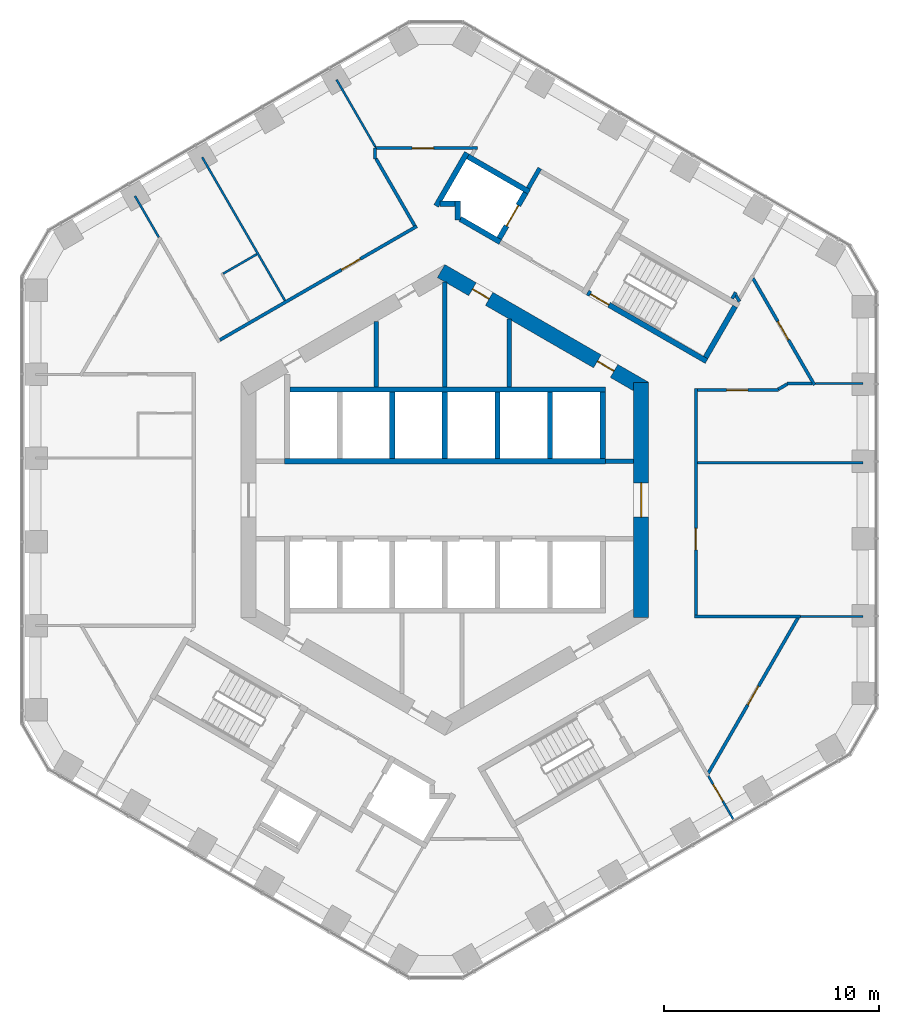
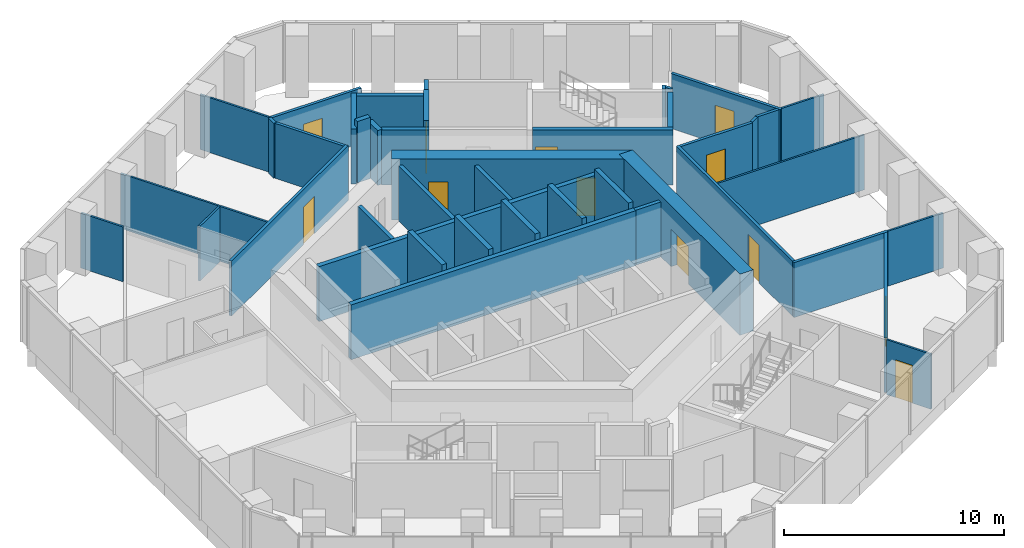
# One storey, part 15 of 19: 43 walls, 12 doors, 12 openings.
"""IFC4 building model written with IfcOpenShell, lengths in metres."""

from ifc_helpers import new_model, si_unit, direction, frame, frame_2d, origin, place, context, subcontext, project, spatial, rectangle, extrude, material, layer, layer_set, type_object, element, fill, save


model = new_model("IFC4")

# Units and contexts
model_context = context("Model", 3, precision=1e-05, world=origin(), true_north=direction((0.0, 1.0)))
body_context = subcontext(model_context, "Body", "Model", "MODEL_VIEW")
ifc_project = project(units=[si_unit("LENGTHUNIT", "METRE"), si_unit("AREAUNIT", "SQUARE_METRE"), si_unit("VOLUMEUNIT", "CUBIC_METRE"), si_unit("PLANEANGLEUNIT", "RADIAN"), si_unit("MASSUNIT", "GRAM", prefix="KILO")], contexts=[model_context])

# Site, building, storey
site_placement = place(None, origin())
site = spatial("IfcSite", under=ifc_project, at=site_placement, CompositionType="ELEMENT")
building_placement = place(site_placement, origin())
building = spatial("IfcBuilding", under=site, at=building_placement, Name="Ayvan Gate Tower", CompositionType="ELEMENT")
storey_placement = place(building_placement, frame((0.0, 0.0, 106.89990234375)))
storey = spatial("IfcBuildingStorey", under=building, at=storey_placement, Name="L28", CompositionType="ELEMENT", Elevation=106.89990234375)

# Wall, opening, door
ifc_material_1 = material(Name="Concrete C70/85", Category="concrete")
ifc_layer_1 = layer(ifc_material_1, 0.699951171875)
ifc_layer_set_1 = layer_set([ifc_layer_1], Name="Concrete C70/85")
wall_type_1 = type_object("IfcWallType", Name="Core wall 700 C70/85", PredefinedType="SHEAR", material=ifc_layer_set_1)
wall_1_placement = place(storey_placement, frame((9.14990234375, -5.48486328125, 0.0), z_axis=(0.0, 0.0, 1.0), x_axis=(0.0, 1.0, 0.0)))
wall_1 = element("IfcWall", 1, at=wall_1_placement, inside=storey, type_object=wall_type_1, Name="CORE-L28-0", PredefinedType="SHEAR", context=body_context, shape_type="SweptSolid", body=[
    extrude(rectangle(XDim=10.9697265625, YDim=0.699951171875, at=frame_2d((5.48486328125, 0.0))), origin(), (0.0, 0.0, 1.0), 3.400146484375),
])
opening_1_placement = place(wall_1_placement, frame((4.684814453125, 0.0, 0.0)))
opening_1 = element("IfcOpeningElement", 2, at=opening_1_placement, cuts=wall_1, Name="Opening L28-D45", PredefinedType="OPENING", context=body_context, shape_type="SweptSolid", body=[
    extrude(rectangle(XDim=1.60009765625, YDim=2.10009765625, at=frame_2d((0.800048828125, 1.050048828125))), frame((0.0, 0.35986328125, 0.0), z_axis=(0.0, -1.0, 0.0), x_axis=(1.0, 0.0, 0.0)), (0.0, 0.0, 1.0), 0.719970703125),
])
ifc_material_2 = material(Name="Timber door leaf", Category="wood")
door_type_1 = type_object("IfcDoorType", Name="DT-1600", OperationType="NOTDEFINED", PredefinedType="DOOR", material=ifc_material_2)
door_1_placement = place(opening_1_placement, origin())
door_1 = element("IfcDoor", 3, at=door_1_placement, inside=storey, type_object=door_type_1, Name="CD-L28-45", OperationType="SINGLE_SWING_LEFT", OverallHeight=2.10009765625, OverallWidth=1.60009765625, PredefinedType="DOOR", context=body_context, shape_type="SweptSolid", body=[
    extrude(rectangle(XDim=1.60009765625, YDim=2.10009765625, at=frame_2d((0.800048828125, 1.050048828125))), frame((0.0, 0.02490234375, 0.0), z_axis=(0.0, -1.0, 0.0), x_axis=(1.0, 0.0, 0.0)), (0.0, 0.0, 1.0), 0.050048828125),
])
fill(opening_1, door_1)

# Wall, openings, doors
wall_2_placement = place(storey_placement, frame((9.324951171875, 5.181640625, 0.0), z_axis=(0.0, 0.0, 1.0), x_axis=(-0.866023993627, 0.500002442456, 0.0)))
wall_2 = element("IfcWall", 4, at=wall_2_placement, inside=storey, type_object=wall_type_1, Name="CORE-L28-1", PredefinedType="SHEAR", context=body_context, shape_type="SweptSolid", body=[
    extrude(rectangle(XDim=10.9697265625, YDim=0.699951171875, at=frame_2d((5.48486328125, 0.0))), origin(), (0.0, 0.0, 1.0), 3.400146484375),
])
opening_2_placement = place(wall_2_placement, frame((8.384033203125, 0.0, 0.0)))
opening_2 = element("IfcOpeningElement", 5, at=opening_2_placement, cuts=wall_2, Name="Opening L28-D40", PredefinedType="OPENING", context=body_context, shape_type="SweptSolid", body=[
    extrude(rectangle(XDim=0.89990234375, YDim=2.10009765625, at=frame_2d((0.449951171875, 1.050048828125))), frame((0.0, 0.35986328125, 0.0), z_axis=(0.0, -1.0, 0.0), x_axis=(1.0, 0.0, 0.0)), (0.0, 0.0, 1.0), 0.719970703125),
])
opening_3_placement = place(wall_2_placement, frame((1.66259765625, 0.0, 0.0)))
opening_3 = element("IfcOpeningElement", 6, at=opening_3_placement, cuts=wall_2, Name="Opening L28-D41", PredefinedType="OPENING", context=body_context, shape_type="SweptSolid", body=[
    extrude(rectangle(XDim=0.89990234375, YDim=2.10009765625, at=frame_2d((0.449951171875, 1.050048828125))), frame((0.0, 0.35986328125, 0.0), z_axis=(0.0, -1.0, 0.0), x_axis=(1.0, 0.0, 0.0)), (0.0, 0.0, 1.0), 0.719970703125),
])
door_type_2 = type_object("IfcDoorType", Name="DT-900", OperationType="NOTDEFINED", PredefinedType="DOOR", material=ifc_material_2)
door_2_placement = place(opening_2_placement, origin())
door_2 = element("IfcDoor", 7, at=door_2_placement, inside=storey, type_object=door_type_2, Name="CD-L28-40", OperationType="SINGLE_SWING_RIGHT", OverallHeight=2.10009765625, OverallWidth=0.89990234375, PredefinedType="DOOR", context=body_context, shape_type="SweptSolid", body=[
    extrude(rectangle(XDim=0.89990234375, YDim=2.10009765625, at=frame_2d((0.449951171875, 1.050048828125))), frame((0.0, 0.02490234375, 0.0), z_axis=(0.0, -1.0, 0.0), x_axis=(1.0, 0.0, 0.0)), (0.0, 0.0, 1.0), 0.050048828125),
])
fill(opening_2, door_2)
door_3_placement = place(opening_3_placement, origin())
door_3 = element("IfcDoor", 8, at=door_3_placement, inside=storey, type_object=door_type_2, Name="CD-L28-41", OperationType="SINGLE_SWING_LEFT", OverallHeight=2.10009765625, OverallWidth=0.89990234375, PredefinedType="DOOR", context=body_context, shape_type="SweptSolid", body=[
    extrude(rectangle(XDim=0.89990234375, YDim=2.10009765625, at=frame_2d((0.449951171875, 1.050048828125))), frame((0.0, 0.02490234375, 0.0), z_axis=(0.0, -1.0, 0.0), x_axis=(1.0, 0.0, 0.0)), (0.0, 0.0, 1.0), 0.050048828125),
])
fill(opening_3, door_3)

# Wall, opening, door
ifc_material_3 = material(Name="Plasterboard on steel stud", Category="steel")
ifc_layer_2 = layer(ifc_material_3, 0.14990234375)
ifc_layer_set_2 = layer_set([ifc_layer_2], Name="Plasterboard on steel stud")
wall_type_2 = type_object("IfcWallType", Name="WT-CORR-150", PredefinedType="PARTITIONING", material=ifc_layer_set_2)
wall_3_placement = place(storey_placement, frame((-10.4814453125, 7.45849609375, 0.0), z_axis=(0.0, 0.0, 1.0), x_axis=(0.866018292242, 0.500012317351, 0.0)))
wall_3 = element("IfcWall", 9, at=wall_3_placement, inside=storey, type_object=wall_type_2, Name="IW-L28-016", PredefinedType="PARTITIONING", context=body_context, shape_type="SweptSolid", body=[
    extrude(rectangle(XDim=10.595947265625, YDim=0.14990234375, at=frame_2d((5.2978515625, 0.0))), origin(), (0.0, 0.0, 1.0), 3.050048828125),
])
opening_4_placement = place(wall_3_placement, frame((6.545654296875, 0.0, 0.0)))
opening_4 = element("IfcOpeningElement", 10, at=opening_4_placement, cuts=wall_3, Name="Opening L28-D35", PredefinedType="OPENING", context=body_context, shape_type="SweptSolid", body=[
    extrude(rectangle(XDim=1.0, YDim=2.10009765625, at=frame_2d((0.5, 1.050048828125))), frame((0.0, 0.0849609375, 0.0), z_axis=(0.0, -1.0, 0.0), x_axis=(1.0, 0.0, 0.0)), (0.0, 0.0, 1.0), 0.169921875),
])
door_type_3 = type_object("IfcDoorType", Name="DT-1000", OperationType="NOTDEFINED", PredefinedType="DOOR", material=ifc_material_2)
door_4_placement = place(opening_4_placement, origin())
door_4 = element("IfcDoor", 11, at=door_4_placement, inside=storey, type_object=door_type_3, Name="ID-L28-035", OperationType="SINGLE_SWING_LEFT", OverallHeight=2.10009765625, OverallWidth=1.0, PredefinedType="DOOR", context=body_context, shape_type="SweptSolid", body=[
    extrude(rectangle(XDim=1.0, YDim=2.10009765625, at=frame_2d((0.5, 1.050048828125))), frame((0.0, 0.02490234375, 0.0), z_axis=(0.0, -1.0, 0.0), x_axis=(1.0, 0.0, 0.0)), (0.0, 0.0, 1.0), 0.050048828125),
])
fill(opening_4, door_4)

# Wall
wall_4_placement = place(storey_placement, frame((-3.25, 15.900146484375, 0.0), z_axis=(0.0, 0.0, 1.0), x_axis=(0.0, 1.0, 0.0)))
element("IfcWall", 12, at=wall_4_placement, inside=storey, type_object=wall_type_2, Name="IW-L28-044", PredefinedType="PARTITIONING", context=body_context, shape_type="SweptSolid", body=[
    extrude(rectangle(XDim=0.496826171875, YDim=0.14990234375, at=frame_2d((0.24853515625, 0.0))), origin(), (0.0, 0.0, 1.0), 3.050048828125),
])

# Wall, opening, door
wall_5_placement = place(storey_placement, frame((-3.255126953125, 16.39697265625, 0.0), z_axis=(0.0, 0.0, 1.0), x_axis=(1.0, 0.0, 0.0)))
wall_5 = element("IfcWall", 13, at=wall_5_placement, inside=storey, type_object=wall_type_2, Name="IW-L28-045", PredefinedType="PARTITIONING", context=body_context, shape_type="SweptSolid", body=[
    extrude(rectangle(XDim=4.771728515625, YDim=0.14990234375, at=frame_2d((2.3857421875, 0.0))), origin(), (0.0, 0.0, 1.0), 3.050048828125),
])
opening_5_placement = place(wall_5_placement, frame((1.72900390625, 0.0, 0.0)))
opening_5 = element("IfcOpeningElement", 14, at=opening_5_placement, cuts=wall_5, Name="Opening L28-D21", PredefinedType="OPENING", context=body_context, shape_type="SweptSolid", body=[
    extrude(rectangle(XDim=1.0, YDim=2.10009765625, at=frame_2d((0.5, 1.050048828125))), frame((0.0, 0.0849609375, 0.0), z_axis=(0.0, -1.0, 0.0), x_axis=(1.0, 0.0, 0.0)), (0.0, 0.0, 1.0), 0.169921875),
])
door_5_placement = place(opening_5_placement, origin())
door_5 = element("IfcDoor", 15, at=door_5_placement, inside=storey, type_object=door_type_3, Name="ID-L28-021", OperationType="SINGLE_SWING_LEFT", OverallHeight=2.10009765625, OverallWidth=1.0, PredefinedType="DOOR", context=body_context, shape_type="SweptSolid", body=[
    extrude(rectangle(XDim=1.0, YDim=2.10009765625, at=frame_2d((0.5, 1.050048828125))), frame((0.0, 0.02490234375, 0.0), z_axis=(0.0, -1.0, 0.0), x_axis=(1.0, 0.0, 0.0)), (0.0, 0.0, 1.0), 0.050048828125),
])
fill(opening_5, door_5)

# Walls
wall_6_placement = place(storey_placement, frame((-1.40771484375, 12.783935546875, 0.0), z_axis=(0.0, 0.0, 1.0), x_axis=(-0.499950785441, 0.866053815959, 0.0)))
element("IfcWall", 16, at=wall_6_placement, inside=storey, type_object=wall_type_2, Name="IW-L28-055", PredefinedType="PARTITIONING", context=body_context, shape_type="SweptSolid", body=[
    extrude(rectangle(XDim=3.609619140625, YDim=0.14990234375, at=frame_2d((1.8046875, 0.0))), origin(), (0.0, 0.0, 1.0), 3.050048828125),
])
wall_7_placement = place(storey_placement, frame((11.625, -5.423095703125, 0.0), z_axis=(0.0, 0.0, 1.0), x_axis=(1.0, 0.0, 0.0)))
element("IfcWall", 17, at=wall_7_placement, inside=storey, type_object=wall_type_2, Name="IW-L28-098", PredefinedType="PARTITIONING", context=body_context, shape_type="SweptSolid", body=[
    extrude(rectangle(XDim=4.9443359375, YDim=0.14990234375, at=frame_2d((2.47216796875, 0.0))), origin(), (0.0, 0.0, 1.0), 3.050048828125),
])

# Wall, opening, door
wall_8_placement = place(storey_placement, frame((11.699951171875, -5.347900390625, 0.0), z_axis=(0.0, 0.0, 1.0), x_axis=(0.0, 1.0, 0.0)))
wall_8 = element("IfcWall", 18, at=wall_8_placement, inside=storey, type_object=wall_type_2, Name="IW-L28-099", PredefinedType="PARTITIONING", context=body_context, shape_type="SweptSolid", body=[
    extrude(rectangle(XDim=10.5458984375, YDim=0.14990234375, at=frame_2d((5.27294921875, 0.0))), origin(), (0.0, 0.0, 1.0), 3.050048828125),
])
opening_6_placement = place(wall_8_placement, frame((3.026611328125, 0.0, 0.0)))
opening_6 = element("IfcOpeningElement", 19, at=opening_6_placement, cuts=wall_8, Name="Opening L28-D17", PredefinedType="OPENING", context=body_context, shape_type="SweptSolid", body=[
    extrude(rectangle(XDim=1.0, YDim=2.10009765625, at=frame_2d((0.5, 1.050048828125))), frame((0.0, 0.0849609375, 0.0), z_axis=(0.0, -1.0, 0.0), x_axis=(1.0, 0.0, 0.0)), (0.0, 0.0, 1.0), 0.169921875),
])
door_6_placement = place(opening_6_placement, origin())
door_6 = element("IfcDoor", 20, at=door_6_placement, inside=storey, type_object=door_type_3, Name="ID-L28-017", OperationType="SINGLE_SWING_LEFT", OverallHeight=2.10009765625, OverallWidth=1.0, PredefinedType="DOOR", context=body_context, shape_type="SweptSolid", body=[
    extrude(rectangle(XDim=1.0, YDim=2.10009765625, at=frame_2d((0.5, 1.050048828125))), frame((0.0, 0.02490234375, 0.0), z_axis=(0.0, -1.0, 0.0), x_axis=(1.0, 0.0, 0.0)), (0.0, 0.0, 1.0), 0.050048828125),
])
fill(opening_6, door_6)

# Walls
wall_9_placement = place(storey_placement, frame((13.38818359375, 9.388916015625, 0.0), z_axis=(0.0, 0.0, 1.0), x_axis=(0.499786267378, 0.866148767211, 0.0)))
element("IfcWall", 21, at=wall_9_placement, inside=storey, type_object=wall_type_2, Name="IW-L28-104", PredefinedType="PARTITIONING", context=body_context, shape_type="SweptSolid", body=[
    extrude(rectangle(XDim=0.331298828125, YDim=0.14990234375, at=frame_2d((0.16552734375, 0.0))), origin(), (0.0, 0.0, 1.0), 3.050048828125),
])
wall_10_placement = place(storey_placement, frame((13.5537109375, 9.5458984375, 0.0), z_axis=(0.0, 0.0, 1.0), x_axis=(0.500535972651, -0.865715738613, 0.0)))
element("IfcWall", 22, at=wall_10_placement, inside=storey, type_object=wall_type_2, Name="IW-L28-105", PredefinedType="PARTITIONING", context=body_context, shape_type="SweptSolid", body=[
    extrude(rectangle(XDim=0.34619140625, YDim=0.14990234375, at=frame_2d((0.173095703125, 0.0))), origin(), (0.0, 0.0, 1.0), 3.050048828125),
])

# Wall, opening, door
wall_11_placement = place(storey_placement, frame((14.353515625, 10.3310546875, 0.0), z_axis=(0.0, 0.0, 1.0), x_axis=(0.499980071345, -0.866036909293, 0.0)))
wall_11 = element("IfcWall", 23, at=wall_11_placement, inside=storey, type_object=wall_type_2, Name="IW-L28-109", PredefinedType="PARTITIONING", context=body_context, shape_type="SweptSolid", body=[
    extrude(rectangle(XDim=5.742431640625, YDim=0.14990234375, at=frame_2d((2.87109375, 0.0))), origin(), (0.0, 0.0, 1.0), 3.050048828125),
])
opening_7_placement = place(wall_11_placement, frame((2.31640625, 0.0, 0.0)))
opening_7 = element("IfcOpeningElement", 24, at=opening_7_placement, cuts=wall_11, Name="Opening L28-D19", PredefinedType="OPENING", context=body_context, shape_type="SweptSolid", body=[
    extrude(rectangle(XDim=1.0, YDim=2.10009765625, at=frame_2d((0.5, 1.050048828125))), frame((0.0, 0.0849609375, 0.0), z_axis=(0.0, -1.0, 0.0), x_axis=(1.0, 0.0, 0.0)), (0.0, 0.0, 1.0), 0.169921875),
])
door_7_placement = place(opening_7_placement, origin())
door_7 = element("IfcDoor", 25, at=door_7_placement, inside=storey, type_object=door_type_3, Name="ID-L28-019", OperationType="SINGLE_SWING_LEFT", OverallHeight=2.10009765625, OverallWidth=1.0, PredefinedType="DOOR", context=body_context, shape_type="SweptSolid", body=[
    extrude(rectangle(XDim=1.0, YDim=2.10009765625, at=frame_2d((0.5, 1.050048828125))), frame((0.0, 0.02490234375, 0.0), z_axis=(0.0, -1.0, 0.0), x_axis=(1.0, 0.0, 0.0)), (0.0, 0.0, 1.0), 0.050048828125),
])
fill(opening_7, door_7)

wall_12_placement = place(storey_placement, frame((15.548095703125, 5.123046875, 0.0), z_axis=(0.0, 0.0, 1.0), x_axis=(-1.0, 0.0, 0.0)))
wall_12 = element("IfcWall", 26, at=wall_12_placement, inside=storey, type_object=wall_type_2, Name="IW-L28-110", PredefinedType="PARTITIONING", context=body_context, shape_type="SweptSolid", body=[
    extrude(rectangle(XDim=3.773193359375, YDim=0.14990234375, at=frame_2d((1.88671875, 0.0))), origin(), (0.0, 0.0, 1.0), 3.050048828125),
])
opening_8_placement = place(wall_12_placement, frame((1.424072265625, 0.0, 0.0)))
opening_8 = element("IfcOpeningElement", 27, at=opening_8_placement, cuts=wall_12, Name="Opening L28-D18", PredefinedType="OPENING", context=body_context, shape_type="SweptSolid", body=[
    extrude(rectangle(XDim=1.0, YDim=2.10009765625, at=frame_2d((0.5, 1.050048828125))), frame((0.0, 0.0849609375, 0.0), z_axis=(0.0, -1.0, 0.0), x_axis=(1.0, 0.0, 0.0)), (0.0, 0.0, 1.0), 0.169921875),
])
door_8_placement = place(opening_8_placement, origin())
door_8 = element("IfcDoor", 28, at=door_8_placement, inside=storey, type_object=door_type_3, Name="ID-L28-018", OperationType="SINGLE_SWING_RIGHT", OverallHeight=2.10009765625, OverallWidth=1.0, PredefinedType="DOOR", context=body_context, shape_type="SweptSolid", body=[
    extrude(rectangle(XDim=1.0, YDim=2.10009765625, at=frame_2d((0.5, 1.050048828125))), frame((0.0, 0.02490234375, 0.0), z_axis=(0.0, -1.0, 0.0), x_axis=(1.0, 0.0, 0.0)), (0.0, 0.0, 1.0), 0.050048828125),
])
fill(opening_8, door_8)

# Wall
wall_13_placement = place(storey_placement, frame((15.948974609375, 5.397705078125, 0.0), z_axis=(0.0, 0.0, 1.0), x_axis=(-0.865954211699, -0.50012328804, 0.0)))
element("IfcWall", 29, at=wall_13_placement, inside=storey, type_object=wall_type_2, Name="IW-L28-111", PredefinedType="PARTITIONING", context=body_context, shape_type="SweptSolid", body=[
    extrude(rectangle(XDim=0.474609375, YDim=0.14990234375, at=frame_2d((0.2373046875, 0.0))), origin(), (0.0, 0.0, 1.0), 3.050048828125),
])

# Wall, opening, door
wall_14_placement = place(storey_placement, frame((16.456787109375, -5.48779296875, 0.0), z_axis=(0.0, 0.0, 1.0), x_axis=(-0.499991130599, -0.866030524475, 0.0)))
wall_14 = element("IfcWall", 30, at=wall_14_placement, inside=storey, type_object=wall_type_2, Name="IW-L28-112", PredefinedType="PARTITIONING", context=body_context, shape_type="SweptSolid", body=[
    extrude(rectangle(XDim=8.364013671875, YDim=0.14990234375, at=frame_2d((4.18212890625, 0.0))), origin(), (0.0, 0.0, 1.0), 3.050048828125),
])
opening_9_placement = place(wall_14_placement, frame((3.681884765625, 0.0, 0.0)))
opening_9 = element("IfcOpeningElement", 31, at=opening_9_placement, cuts=wall_14, Name="Opening L28-D33", PredefinedType="OPENING", context=body_context, shape_type="SweptSolid", body=[
    extrude(rectangle(XDim=1.0, YDim=2.10009765625, at=frame_2d((0.5, 1.050048828125))), frame((0.0, 0.0849609375, 0.0), z_axis=(0.0, -1.0, 0.0), x_axis=(1.0, 0.0, 0.0)), (0.0, 0.0, 1.0), 0.169921875),
])
door_9_placement = place(opening_9_placement, origin())
door_9 = element("IfcDoor", 32, at=door_9_placement, inside=storey, type_object=door_type_3, Name="ID-L28-033", OperationType="SINGLE_SWING_LEFT", OverallHeight=2.10009765625, OverallWidth=1.0, PredefinedType="DOOR", context=body_context, shape_type="SweptSolid", body=[
    extrude(rectangle(XDim=1.0, YDim=2.10009765625, at=frame_2d((0.5, 1.050048828125))), frame((0.0, 0.02490234375, 0.0), z_axis=(0.0, -1.0, 0.0), x_axis=(1.0, 0.0, 0.0)), (0.0, 0.0, 1.0), 0.050048828125),
])
fill(opening_9, door_9)

# Walls
wall_15_placement = place(storey_placement, frame((17.1123046875, 5.423095703125, 0.0), z_axis=(0.0, 0.0, 1.0), x_axis=(-1.0, 0.0, 0.0)))
element("IfcWall", 33, at=wall_15_placement, inside=storey, type_object=wall_type_2, Name="IW-L28-114", PredefinedType="PARTITIONING", context=body_context, shape_type="SweptSolid", body=[
    extrude(rectangle(XDim=1.177978515625, YDim=0.14990234375, at=frame_2d((0.5888671875, 0.0))), origin(), (0.0, 0.0, 1.0), 3.050048828125),
])
ifc_layer_3 = layer(ifc_material_3, 0.10009765625)
ifc_layer_set_3 = layer_set([ifc_layer_3], Name="Plasterboard on steel stud")
wall_type_3 = type_object("IfcWallType", Name="WT-PART-100", PredefinedType="PARTITIONING", material=ifc_layer_set_3)
wall_16_placement = place(storey_placement, frame((-14.439208984375, 14.16357421875, 0.0), z_axis=(0.0, 0.0, 1.0), x_axis=(0.500036104519, -0.866004557827, 0.0)))
element("IfcWall", 34, at=wall_16_placement, inside=storey, type_object=wall_type_3, Name="IW-L28-004", PredefinedType="PARTITIONING", context=body_context, shape_type="SweptSolid", body=[
    extrude(rectangle(XDim=2.223388671875, YDim=0.10009765625, at=frame_2d((1.11181640625, 0.0))), origin(), (0.0, 0.0, 1.0), 3.050048828125),
])
wall_17_placement = place(storey_placement, frame((-8.7587890625, 11.455322265625, 0.0), z_axis=(0.0, 0.0, 1.0), x_axis=(-0.865999684151, -0.500044545065, 0.0)))
element("IfcWall", 35, at=wall_17_placement, inside=storey, type_object=wall_type_3, Name="IW-L28-021", PredefinedType="PARTITIONING", context=body_context, shape_type="SweptSolid", body=[
    extrude(rectangle(XDim=1.815185546875, YDim=0.10009765625, at=frame_2d((0.90771484375, 0.0))), origin(), (0.0, 0.0, 1.0), 3.050048828125),
])
wall_18_placement = place(storey_placement, frame((-11.308349609375, 15.97119140625, 0.0), z_axis=(0.0, 0.0, 1.0), x_axis=(0.500021201058, -0.866013163002, 0.0)))
element("IfcWall", 36, at=wall_18_placement, inside=storey, type_object=wall_type_3, Name="IW-L28-022", PredefinedType="PARTITIONING", context=body_context, shape_type="SweptSolid", body=[
    extrude(rectangle(XDim=7.710693359375, YDim=0.10009765625, at=frame_2d((3.85546875, 0.0))), origin(), (0.0, 0.0, 1.0), 3.050048828125),
])
wall_19_placement = place(storey_placement, frame((-3.242431640625, 16.4619140625, 0.0), z_axis=(0.0, 0.0, 1.0), x_axis=(-0.500003616288, 0.866023315909, 0.0)))
element("IfcWall", 37, at=wall_19_placement, inside=storey, type_object=wall_type_3, Name="IW-L28-046", PredefinedType="PARTITIONING", context=body_context, shape_type="SweptSolid", body=[
    extrude(rectangle(XDim=3.60791015625, YDim=0.10009765625, at=frame_2d((1.803955078125, 0.0))), origin(), (0.0, 0.0, 1.0), 3.050048828125),
])
wall_20_placement = place(storey_placement, frame((11.77490234375, 1.7353515625, 0.0), z_axis=(0.0, 0.0, 1.0), x_axis=(1.0, 0.0, 0.0)))
element("IfcWall", 38, at=wall_20_placement, inside=storey, type_object=wall_type_3, Name="IW-L28-100", PredefinedType="PARTITIONING", context=body_context, shape_type="SweptSolid", body=[
    extrude(rectangle(XDim=7.710693359375, YDim=0.10009765625, at=frame_2d((3.85546875, 0.0))), origin(), (0.0, 0.0, 1.0), 3.050048828125),
])

# Wall, opening, door
wall_21_placement = place(storey_placement, frame((13.432861328125, -14.866455078125, 0.0), z_axis=(0.0, 0.0, 1.0), x_axis=(-0.500050991752, 0.865995961681, 0.0)))
wall_21 = element("IfcWall", 39, at=wall_21_placement, inside=storey, type_object=wall_type_3, Name="IW-L28-103", PredefinedType="PARTITIONING", context=body_context, shape_type="SweptSolid", body=[
    extrude(rectangle(XDim=2.315673828125, YDim=0.10009765625, at=frame_2d((1.15771484375, 0.0))), origin(), (0.0, 0.0, 1.0), 3.050048828125),
])
opening_10_placement = place(wall_21_placement, frame((0.96826171875, 0.0, 0.0)))
opening_10 = element("IfcOpeningElement", 40, at=opening_10_placement, cuts=wall_21, Name="Opening L28-D34", PredefinedType="OPENING", context=body_context, shape_type="SweptSolid", body=[
    extrude(rectangle(XDim=0.89990234375, YDim=2.10009765625, at=frame_2d((0.449951171875, 1.050048828125))), frame((0.0, 0.06005859375, 0.0), z_axis=(0.0, -1.0, 0.0), x_axis=(1.0, 0.0, 0.0)), (0.0, 0.0, 1.0), 0.1201171875),
])
door_10_placement = place(opening_10_placement, origin())
door_10 = element("IfcDoor", 41, at=door_10_placement, inside=storey, type_object=door_type_2, Name="ID-L28-034", OperationType="SINGLE_SWING_RIGHT", OverallHeight=2.10009765625, OverallWidth=0.89990234375, PredefinedType="DOOR", context=body_context, shape_type="SweptSolid", body=[
    extrude(rectangle(XDim=0.89990234375, YDim=2.10009765625, at=frame_2d((0.449951171875, 1.050048828125))), frame((0.0, 0.02490234375, 0.0), z_axis=(0.0, -1.0, 0.0), x_axis=(1.0, 0.0, 0.0)), (0.0, 0.0, 1.0), 0.050048828125),
])
fill(opening_10, door_10)

# Walls
wall_22_placement = place(storey_placement, frame((17.26220703125, 5.423095703125, 0.0), z_axis=(0.0, 0.0, 1.0), x_axis=(1.0, 0.0, 0.0)))
element("IfcWall", 42, at=wall_22_placement, inside=storey, type_object=wall_type_3, Name="IW-L28-113", PredefinedType="PARTITIONING", context=body_context, shape_type="SweptSolid", body=[
    extrude(rectangle(XDim=2.223388671875, YDim=0.10009765625, at=frame_2d((1.11181640625, 0.0))), origin(), (0.0, 0.0, 1.0), 3.050048828125),
])
wall_23_placement = place(storey_placement, frame((19.485595703125, -5.423095703125, 0.0), z_axis=(0.0, 0.0, 1.0), x_axis=(-1.0, 0.0, 0.0)))
element("IfcWall", 43, at=wall_23_placement, inside=storey, type_object=wall_type_3, Name="IW-L28-115", PredefinedType="PARTITIONING", context=body_context, shape_type="SweptSolid", body=[
    extrude(rectangle(XDim=2.916259765625, YDim=0.10009765625, at=frame_2d((1.4580078125, 0.0))), origin(), (0.0, 0.0, 1.0), 3.050048828125),
])
ifc_layer_4 = layer(ifc_material_3, 0.199951171875)
ifc_layer_set_4 = layer_set([ifc_layer_4], Name="Plasterboard on steel stud")
wall_type_4 = type_object("IfcWallType", Name="WT-RATED-200", PredefinedType="PARTITIONING", material=ifc_layer_set_4)
wall_24_placement = place(storey_placement, frame((-3.199951171875, 8.313720703125, 0.0), z_axis=(0.0, 0.0, 1.0), x_axis=(0.0, -1.0, 0.0)))
element("IfcWall", 44, at=wall_24_placement, inside=storey, type_object=wall_type_4, Name="IW-L28-047", PredefinedType="PARTITIONING", context=body_context, shape_type="SweptSolid", body=[
    extrude(rectangle(XDim=3.038818359375, YDim=0.199951171875, at=frame_2d((1.51953125, 0.0))), origin(), (0.0, 0.0, 1.0), 3.050048828125),
])
wall_25_placement = place(storey_placement, frame((0.0, 10.161376953125, 0.0), z_axis=(0.0, 0.0, 1.0), x_axis=(0.0, -1.0, 0.0)))
element("IfcWall", 45, at=wall_25_placement, inside=storey, type_object=wall_type_4, Name="IW-L28-062", PredefinedType="PARTITIONING", context=body_context, shape_type="SweptSolid", body=[
    extrude(rectangle(XDim=4.886474609375, YDim=0.199951171875, at=frame_2d((2.443359375, 0.0))), origin(), (0.0, 0.0, 1.0), 3.050048828125),
])
wall_26_placement = place(storey_placement, frame((3.0, 8.42919921875, 0.0), z_axis=(0.0, 0.0, 1.0), x_axis=(0.0, -1.0, 0.0)))
element("IfcWall", 46, at=wall_26_placement, inside=storey, type_object=wall_type_4, Name="IW-L28-073", PredefinedType="PARTITIONING", context=body_context, shape_type="SweptSolid", body=[
    extrude(rectangle(XDim=3.154296875, YDim=0.199951171875, at=frame_2d((1.5771484375, 0.0))), origin(), (0.0, 0.0, 1.0), 3.050048828125),
])
wall_27_placement = place(storey_placement, frame((3.885009765625, 14.52880859375, 0.0), z_axis=(0.0, 0.0, 1.0), x_axis=(0.499997628298, 0.866026773083, 0.0)))
element("IfcWall", 47, at=wall_27_placement, inside=storey, type_object=wall_type_4, Name="IW-L28-079", PredefinedType="PARTITIONING", context=body_context, shape_type="SweptSolid", body=[
    extrude(rectangle(XDim=1.0751953125, YDim=0.199951171875, at=frame_2d((0.53759765625, 0.0))), origin(), (0.0, 0.0, 1.0), 3.050048828125),
])
wall_28_placement = place(storey_placement, frame((7.474853515625, 1.800048828125, 0.0), z_axis=(0.0, 0.0, 1.0), x_axis=(1.0, 0.0, 0.0)))
element("IfcWall", 48, at=wall_28_placement, inside=storey, type_object=wall_type_4, Name="IW-L28-089", PredefinedType="PARTITIONING", context=body_context, shape_type="SweptSolid", body=[
    extrude(rectangle(XDim=1.3251953125, YDim=0.199951171875, at=frame_2d((0.66259765625, 0.0))), origin(), (0.0, 0.0, 1.0), 3.050048828125),
])
ifc_material_4 = material(Name="Concrete C50/60", Category="concrete")
ifc_layer_5 = layer(ifc_material_4, 0.25)
ifc_layer_set_5 = layer_set([ifc_layer_5], Name="Concrete C50/60")
wall_type_5 = type_object("IfcWallType", Name="WT-RC-250", PredefinedType="SHEAR", material=ifc_layer_set_5)
wall_29_placement = place(storey_placement, frame((-7.47509765625, 1.800048828125, 0.0), z_axis=(0.0, 0.0, 1.0), x_axis=(1.0, 0.0, 0.0)))
element("IfcWall", 49, at=wall_29_placement, inside=storey, type_object=wall_type_5, Name="IW-L28-026", PredefinedType="SHEAR", context=body_context, shape_type="SweptSolid", body=[
    extrude(rectangle(XDim=14.9501953125, YDim=0.25, at=frame_2d((7.47509765625, 0.0))), origin(), (0.0, 0.0, 1.0), 3.050048828125),
])
wall_30_placement = place(storey_placement, frame((-7.22509765625, 5.14990234375, 0.0), z_axis=(0.0, 0.0, 1.0), x_axis=(1.0, 0.0, 0.0)))
element("IfcWall", 50, at=wall_30_placement, inside=storey, type_object=wall_type_5, Name="IW-L28-029", PredefinedType="SHEAR", context=body_context, shape_type="SweptSolid", body=[
    extrude(rectangle(XDim=14.7001953125, YDim=0.25, at=frame_2d((7.35009765625, 0.0))), origin(), (0.0, 0.0, 1.0), 3.050048828125),
])
wall_31_placement = place(storey_placement, frame((-2.449951171875, 5.02490234375, 0.0), z_axis=(0.0, 0.0, 1.0), x_axis=(0.0, -1.0, 0.0)))
element("IfcWall", 51, at=wall_31_placement, inside=storey, type_object=wall_type_5, Name="IW-L28-053", PredefinedType="SHEAR", context=body_context, shape_type="SweptSolid", body=[
    extrude(rectangle(XDim=3.099853515625, YDim=0.25, at=frame_2d((1.5498046875, 0.0))), origin(), (0.0, 0.0, 1.0), 3.400146484375),
])
wall_32_placement = place(storey_placement, frame((-0.403076171875, 13.70166015625, 0.0), z_axis=(0.0, 0.0, 1.0), x_axis=(0.499976111731, 0.866039195244, 0.0)))
element("IfcWall", 52, at=wall_32_placement, inside=storey, type_object=wall_type_5, Name="IW-L28-059", PredefinedType="SHEAR", context=body_context, shape_type="SweptSolid", body=[
    extrude(rectangle(XDim=2.860595703125, YDim=0.25, at=frame_2d((1.43017578125, 0.0))), origin(), (0.0, 0.0, 1.0), 3.050048828125),
])
wall_33_placement = place(storey_placement, frame((0.0, 5.02490234375, 0.0), z_axis=(0.0, 0.0, 1.0), x_axis=(0.0, -1.0, 0.0)))
element("IfcWall", 53, at=wall_33_placement, inside=storey, type_object=wall_type_5, Name="IW-L28-061", PredefinedType="SHEAR", context=body_context, shape_type="SweptSolid", body=[
    extrude(rectangle(XDim=3.099853515625, YDim=0.25, at=frame_2d((1.5498046875, 0.0))), origin(), (0.0, 0.0, 1.0), 3.400146484375),
])
wall_34_placement = place(storey_placement, frame((0.60009765625, 13.03857421875, 0.0), z_axis=(0.0, 0.0, 1.0), x_axis=(0.0, 1.0, 0.0)))
element("IfcWall", 54, at=wall_34_placement, inside=storey, type_object=wall_type_5, Name="IW-L28-063", PredefinedType="SHEAR", context=body_context, shape_type="SweptSolid", body=[
    extrude(rectangle(XDim=0.896484375, YDim=0.25, at=frame_2d((0.4482421875, 0.0))), origin(), (0.0, 0.0, 1.0), 3.050048828125),
])
wall_35_placement = place(storey_placement, frame((0.47509765625, 13.81005859375, 0.0), z_axis=(0.0, 0.0, 1.0), x_axis=(-1.0, 0.0, 0.0)))
element("IfcWall", 55, at=wall_35_placement, inside=storey, type_object=wall_type_5, Name="IW-L28-064", PredefinedType="SHEAR", context=body_context, shape_type="SweptSolid", body=[
    extrude(rectangle(XDim=0.690673828125, YDim=0.25, at=frame_2d((0.34521484375, 0.0))), origin(), (0.0, 0.0, 1.0), 3.400146484375),
])
wall_36_placement = place(storey_placement, frame((1.072998046875, 16.00830078125, 0.0), z_axis=(0.0, 0.0, 1.0), x_axis=(0.866040211805, -0.499974350878, 0.0)))
element("IfcWall", 56, at=wall_36_placement, inside=storey, type_object=wall_type_5, Name="IW-L28-066", PredefinedType="SHEAR", context=body_context, shape_type="SweptSolid", body=[
    extrude(rectangle(XDim=3.300048828125, YDim=0.25, at=frame_2d((1.64990234375, 0.0))), origin(), (0.0, 0.0, 1.0), 3.050048828125),
])
wall_37_placement = place(storey_placement, frame((2.449951171875, 5.02490234375, 0.0), z_axis=(0.0, 0.0, 1.0), x_axis=(0.0, -1.0, 0.0)))
element("IfcWall", 57, at=wall_37_placement, inside=storey, type_object=wall_type_5, Name="IW-L28-070", PredefinedType="SHEAR", context=body_context, shape_type="SweptSolid", body=[
    extrude(rectangle(XDim=3.099853515625, YDim=0.25, at=frame_2d((1.5498046875, 0.0))), origin(), (0.0, 0.0, 1.0), 3.400146484375),
])
wall_38_placement = place(storey_placement, frame((2.580810546875, 12.02001953125, 0.0), z_axis=(0.0, 0.0, 1.0), x_axis=(-0.86603892542, 0.499976579108, 0.0)))
element("IfcWall", 58, at=wall_38_placement, inside=storey, type_object=wall_type_5, Name="IW-L28-071", PredefinedType="SHEAR", context=body_context, shape_type="SweptSolid", body=[
    extrude(rectangle(XDim=2.162109375, YDim=0.25, at=frame_2d((1.0810546875, 0.0))), origin(), (0.0, 0.0, 1.0), 3.050048828125),
])

# Wall, opening, door
wall_39_placement = place(storey_placement, frame((2.534912109375, 12.19091796875, 0.0), z_axis=(0.0, 0.0, 1.0), x_axis=(0.500061746146, 0.865989751695, 0.0)))
wall_39 = element("IfcWall", 59, at=wall_39_placement, inside=storey, type_object=wall_type_5, Name="IW-L28-072", PredefinedType="SHEAR", context=body_context, shape_type="SweptSolid", body=[
    extrude(rectangle(XDim=2.449951171875, YDim=0.25, at=frame_2d((1.22509765625, 0.0))), origin(), (0.0, 0.0, 1.0), 3.400146484375),
])
opening_11_placement = place(wall_39_placement, frame((0.675048828125, 0.0, 0.0)))
opening_11 = element("IfcOpeningElement", 60, at=opening_11_placement, cuts=wall_39, Name="Opening L28-LD-FF1", PredefinedType="OPENING", context=body_context, shape_type="SweptSolid", body=[
    extrude(rectangle(XDim=1.10009765625, YDim=2.10009765625, at=frame_2d((0.550048828125, 1.050048828125))), frame((0.0, 0.135009765625, 0.0), z_axis=(0.0, -1.0, 0.0), x_axis=(1.0, 0.0, 0.0)), (0.0, 0.0, 1.0), 0.27001953125),
])
ifc_material_5 = material(Name="Stainless steel landing door", Category="steel")
door_type_4 = type_object("IfcDoorType", Name="DT-LANDING-1100", OperationType="SLIDING_TO_LEFT", PredefinedType="DOOR", material=ifc_material_5)
door_11_placement = place(opening_11_placement, origin())
door_11 = element("IfcDoor", 61, at=door_11_placement, inside=storey, type_object=door_type_4, Name="ID-L28-009", OperationType="SLIDING_TO_LEFT", OverallHeight=2.10009765625, OverallWidth=1.10009765625, PredefinedType="DOOR", context=body_context, shape_type="SweptSolid", body=[
    extrude(rectangle(XDim=1.10009765625, YDim=2.10009765625, at=frame_2d((0.550048828125, 1.050048828125))), frame((0.0, 0.02490234375, 0.0), z_axis=(0.0, -1.0, 0.0), x_axis=(1.0, 0.0, 0.0)), (0.0, 0.0, 1.0), 0.050048828125),
])
fill(opening_11, door_11)

# Walls
for number, where, z_axis, x_axis, name in (
    (62, (4.89990234375, 5.02490234375, 0.0), (0.0, 0.0, 1.0), (0.0, -1.0, 0.0), "IW-L28-082"),
    (63, (7.35009765625, 5.02490234375, 0.0), (0.0, 0.0, 1.0), (0.0, -1.0, 0.0), "IW-L28-091"),
):
    element("IfcWall", number, at=place(storey_placement, frame(where, z_axis=z_axis, x_axis=x_axis)), inside=storey, type_object=wall_type_5, Name=name, PredefinedType="SHEAR", context=body_context, shape_type="SweptSolid", body=[
        extrude(rectangle(XDim=3.099853515625, YDim=0.25, at=frame_2d((1.5498046875, 0.0))), origin(), (0.0, 0.0, 1.0), 3.400146484375),
    ])

# Wall, opening, door
wall_40_placement = place(storey_placement, frame((12.193603515625, 6.469970703125, 0.0), z_axis=(0.0, 0.0, 1.0), x_axis=(-0.866025499775, 0.499999833739, 0.0)))
wall_40 = element("IfcWall", 64, at=wall_40_placement, inside=storey, type_object=wall_type_5, Name="IW-L28-101", PredefinedType="SHEAR", context=body_context, shape_type="SweptSolid", body=[
    extrude(rectangle(XDim=6.39990234375, YDim=0.25, at=frame_2d((3.199951171875, 0.0))), origin(), (0.0, 0.0, 1.0), 3.050048828125),
])
opening_12_placement = place(wall_40_placement, frame((5.25, 0.0, 0.0)))
opening_12 = element("IfcOpeningElement", 65, at=opening_12_placement, cuts=wall_40, Name="Opening L28-D06", PredefinedType="OPENING", context=body_context, shape_type="SweptSolid", body=[
    extrude(rectangle(XDim=1.0, YDim=2.10009765625, at=frame_2d((0.5, 1.050048828125))), frame((0.0, 0.135009765625, 0.0), z_axis=(0.0, -1.0, 0.0), x_axis=(1.0, 0.0, 0.0)), (0.0, 0.0, 1.0), 0.27001953125),
])
door_12_placement = place(opening_12_placement, origin())
door_12 = element("IfcDoor", 66, at=door_12_placement, inside=storey, type_object=door_type_3, Name="ID-L28-006", OperationType="SINGLE_SWING_RIGHT", OverallHeight=2.10009765625, OverallWidth=1.0, PredefinedType="DOOR", context=body_context, shape_type="SweptSolid", body=[
    extrude(rectangle(XDim=1.0, YDim=2.10009765625, at=frame_2d((0.5, 1.050048828125))), frame((0.0, 0.02490234375, 0.0), z_axis=(0.0, -1.0, 0.0), x_axis=(1.0, 0.0, 0.0)), (0.0, 0.0, 1.0), 0.050048828125),
])
fill(opening_12, door_12)

# Wall
wall_41_placement = place(storey_placement, frame((13.52294921875, 9.022216796875, 0.0), z_axis=(0.0, 0.0, 1.0), x_axis=(-0.500034990121, -0.866005201286, 0.0)))
element("IfcWall", 67, at=wall_41_placement, inside=storey, type_object=wall_type_5, Name="IW-L28-106", PredefinedType="SHEAR", context=body_context, shape_type="SweptSolid", body=[
    extrude(rectangle(XDim=2.749755859375, YDim=0.25, at=frame_2d((1.375, 0.0))), origin(), (0.0, 0.0, 1.0), 3.050048828125),
])

save(model, "model.ifc")
